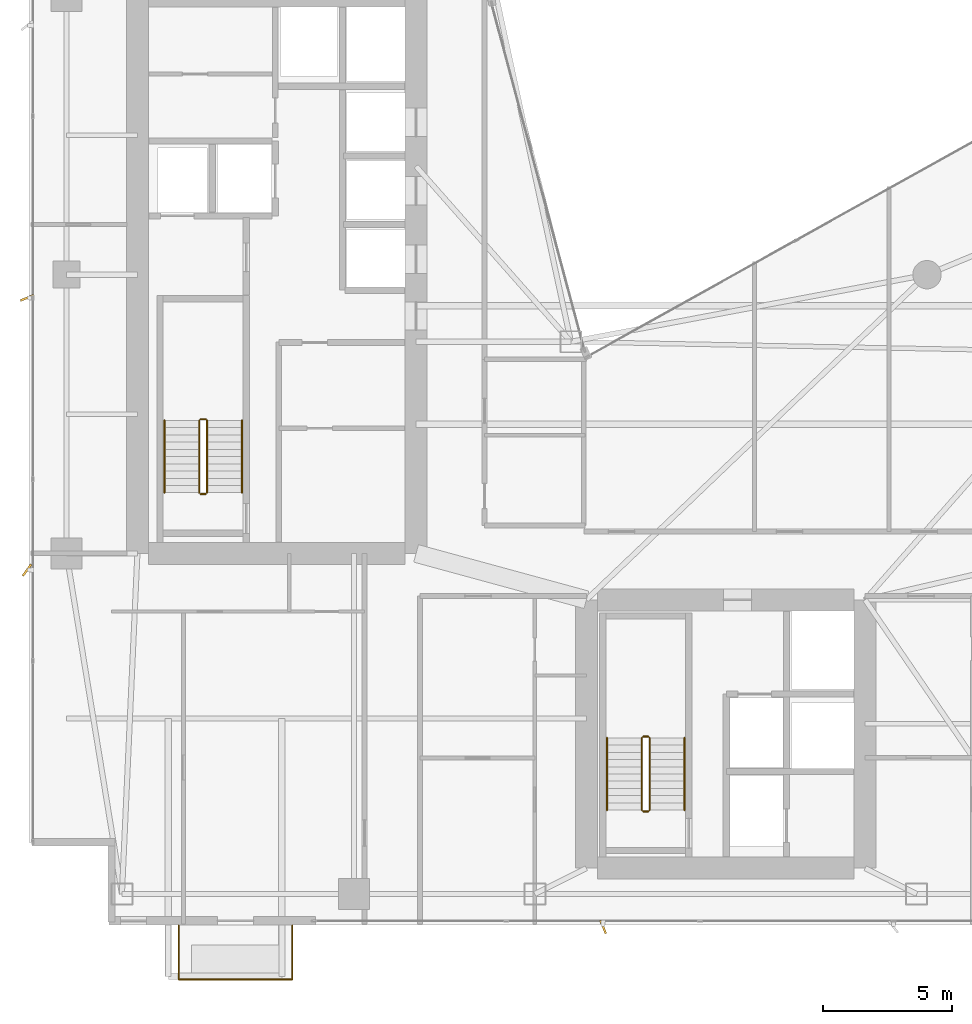
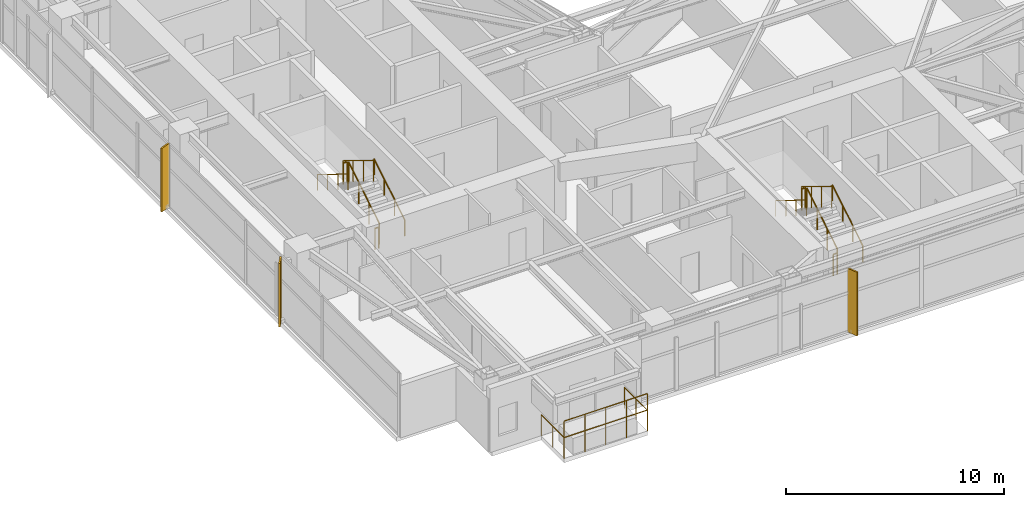
# One storey, part 27 of 28: 14 railings, 3 shading devices.
"""IFC4 building model written with IfcOpenShell, lengths in metres."""

from ifc_helpers import new_model, si_unit, direction, frame, origin, origin_2d, place, context, subcontext, project, spatial, rectangle, circle, extrude, material, type_object, element, save


model = new_model("IFC4")

# Units and contexts
model_context = context("Model", 3, precision=1e-05, world=origin(), true_north=direction((0.0, 1.0)))
body_context = subcontext(model_context, "Body", "Model", "MODEL_VIEW")
ifc_project = project(units=[si_unit("LENGTHUNIT", "METRE"), si_unit("AREAUNIT", "SQUARE_METRE"), si_unit("VOLUMEUNIT", "CUBIC_METRE"), si_unit("PLANEANGLEUNIT", "RADIAN"), si_unit("MASSUNIT", "GRAM", prefix="KILO")], contexts=[model_context])

# Site, building, storey
site_placement = place(None, origin())
site = spatial("IfcSite", under=ifc_project, at=site_placement, CompositionType="ELEMENT")
building_placement = place(site_placement, origin())
building = spatial("IfcBuilding", under=site, at=building_placement, Name="Calvorn Quay Hotel", CompositionType="ELEMENT")
storey_placement = place(building_placement, frame((0.0, 0.0, 178.89990234375)))
storey = spatial("IfcBuildingStorey", under=building, at=storey_placement, Name="L44", CompositionType="ELEMENT", Elevation=178.89990234375)

# Railings
ifc_material_1 = material(Name="Pale Anodised Aluminium and Laminated Glass", Category="aluminium")
railing_type_1 = type_object("IfcRailingType", Name="RLG-BALUSTRADE-1200", PredefinedType="BALUSTRADE", material=ifc_material_1)
railing_1_placement = place(storey_placement, frame((5.800048828125, 2.389892578125, 0.0)))
element("IfcRailing", 1, at=railing_1_placement, inside=storey, type_object=railing_type_1, Name="Tree Balcony Perimeter Balustrade L44-BALC-S", PredefinedType="BALUSTRADE", context=body_context, shape_type="SweptSolid", body=[
    extrude(circle(Radius=0.02392578125, at=origin_2d()), frame((0.0, 0.0, 1.17578125), z_axis=(0.0, -1.0, 0.0), x_axis=(1.0, 0.0, 0.0)), (0.0, 0.0, 1.0), 2.099853515625),
    extrude(circle(Radius=0.02392578125, at=origin_2d()), frame((0.0, -2.099853515625, 1.17578125), z_axis=(1.0, 0.0, 0.0), x_axis=(0.0, 1.0, 0.0)), (0.0, 0.0, 1.0), 4.39990234375),
    extrude(circle(Radius=0.02392578125, at=origin_2d()), frame((4.39990234375, -2.099853515625, 1.17578125), z_axis=(0.0, 1.0, 0.0), x_axis=(-1.0, 0.0, 0.0)), (0.0, 0.0, 1.0), 2.099853515625),
    extrude(circle(Radius=0.02099609375, at=origin_2d()), origin(), (0.0, 0.0, 1.0), 1.15185546875),
    extrude(circle(Radius=0.02099609375, at=origin_2d()), frame((0.0, -1.0498046875, 0.0)), (0.0, 0.0, 1.0), 1.15185546875),
    extrude(circle(Radius=0.02099609375, at=origin_2d()), frame((0.0, -2.099853515625, 0.0)), (0.0, 0.0, 1.0), 1.15185546875),
    extrude(circle(Radius=0.02099609375, at=origin_2d()), frame((1.10009765625, -2.099853515625, 0.0)), (0.0, 0.0, 1.0), 1.15185546875),
    extrude(circle(Radius=0.02099609375, at=origin_2d()), frame((2.199951171875, -2.099853515625, 0.0)), (0.0, 0.0, 1.0), 1.15185546875),
    extrude(circle(Radius=0.02099609375, at=origin_2d()), frame((3.2998046875, -2.099853515625, 0.0)), (0.0, 0.0, 1.0), 1.15185546875),
    extrude(circle(Radius=0.02099609375, at=origin_2d()), frame((4.39990234375, -2.099853515625, 0.0)), (0.0, 0.0, 1.0), 1.15185546875),
    extrude(circle(Radius=0.02099609375, at=origin_2d()), frame((4.39990234375, -1.0498046875, 0.0)), (0.0, 0.0, 1.0), 1.15185546875),
    extrude(circle(Radius=0.02099609375, at=origin_2d()), frame((4.39990234375, 0.0, 0.0)), (0.0, 0.0, 1.0), 1.15185546875),
])
railing_2_placement = place(storey_placement, frame((5.800048828125, 0.2900390625, 0.900146484375)))
element("IfcRailing", 2, at=railing_2_placement, inside=storey, type_object=railing_type_1, Name="Planter Kerb High Safety Screen L44-BALC-S", PredefinedType="BALUSTRADE", context=body_context, shape_type="SweptSolid", body=[
    extrude(circle(Radius=0.02392578125, at=origin_2d()), frame((0.0, 0.0, 1.19580078125), z_axis=(1.0, 0.0, 0.0), x_axis=(0.0, 1.0, 0.0)), (0.0, 0.0, 1.0), 4.39990234375),
    extrude(circle(Radius=0.02099609375, at=origin_2d()), origin(), (0.0, 0.0, 1.0), 1.171875),
    extrude(circle(Radius=0.02099609375, at=origin_2d()), frame((1.10009765625, 0.0, 0.0)), (0.0, 0.0, 1.0), 1.171875),
    extrude(circle(Radius=0.02099609375, at=origin_2d()), frame((2.199951171875, 0.0, 0.0)), (0.0, 0.0, 1.0), 1.171875),
    extrude(circle(Radius=0.02099609375, at=origin_2d()), frame((3.2998046875, 0.0, 0.0)), (0.0, 0.0, 1.0), 1.171875),
    extrude(circle(Radius=0.02099609375, at=origin_2d()), frame((4.39990234375, 0.0, 0.0)), (0.0, 0.0, 1.0), 1.171875),
])
ifc_material_2 = material(Name="Brushed Stainless Steel Handrail", Category="steel")
railing_type_2 = type_object("IfcRailingType", Name="RLG-HANDRAIL-900", PredefinedType="HANDRAIL", material=ifc_material_2)
railing_3_placement = place(storey_placement, frame((8.25, 19.14990234375, 0.1728515625)))
element("IfcRailing", 3, at=railing_3_placement, inside=storey, type_object=railing_type_2, Name="L44 ST-W stair handrail 1", PredefinedType="HANDRAIL", context=body_context, shape_type="SweptSolid", body=[
    extrude(circle(Radius=0.02392578125, at=origin_2d()), frame((0.0, 0.0, 0.8759765625), z_axis=(0.0, 0.851089632645, 0.525020415988), x_axis=(-1.0, 0.0, 0.0)), (0.0, 0.0, 1.0), 3.2900390625),
    extrude(circle(Radius=0.02099609375, at=origin_2d()), origin(), (0.0, 0.0, 1.0), 0.851806640625),
    extrude(circle(Radius=0.02099609375, at=origin_2d()), frame((0.0, 0.933349609375, 0.57568359375)), (0.0, 0.0, 1.0), 0.851806640625),
    extrude(circle(Radius=0.02099609375, at=origin_2d()), frame((0.0, 1.86669921875, 1.151611328125)), (0.0, 0.0, 1.0), 0.851806640625),
    extrude(circle(Radius=0.02099609375, at=origin_2d()), frame((0.0, 2.800048828125, 1.727294921875)), (0.0, 0.0, 1.0), 0.851806640625),
])
railing_4_placement = place(storey_placement, frame((5.25, 21.949951171875, 2.07275390625)))
element("IfcRailing", 4, at=railing_4_placement, inside=storey, type_object=railing_type_2, Name="L44 ST-W stair handrail 2", PredefinedType="HANDRAIL", context=body_context, shape_type="SweptSolid", body=[
    extrude(circle(Radius=0.02392578125, at=origin_2d()), frame((0.0, 0.0, 0.8759765625), z_axis=(0.0, -0.851089632645, 0.525020415988), x_axis=(1.0, 0.0, 0.0)), (0.0, 0.0, 1.0), 3.2900390625),
    extrude(circle(Radius=0.02099609375, at=origin_2d()), origin(), (0.0, 0.0, 1.0), 0.851806640625),
    extrude(circle(Radius=0.02099609375, at=origin_2d()), frame((0.0, -0.933349609375, 0.57568359375)), (0.0, 0.0, 1.0), 0.851806640625),
    extrude(circle(Radius=0.02099609375, at=origin_2d()), frame((0.0, -1.86669921875, 1.151611328125)), (0.0, 0.0, 1.0), 0.851806640625),
    extrude(circle(Radius=0.02099609375, at=origin_2d()), frame((0.0, -2.800048828125, 1.727294921875)), (0.0, 0.0, 1.0), 0.851806640625),
])
railing_5_placement = place(storey_placement, frame((25.39990234375, 6.85009765625, 0.1728515625)))
element("IfcRailing", 5, at=railing_5_placement, inside=storey, type_object=railing_type_2, Name="L44 ST-E stair handrail 1", PredefinedType="HANDRAIL", context=body_context, shape_type="SweptSolid", body=[
    extrude(circle(Radius=0.02392578125, at=origin_2d()), frame((0.0, 0.0, 0.8759765625), z_axis=(0.0, 0.851069175582, 0.525053576669), x_axis=(-1.0, 0.0, 0.0)), (0.0, 0.0, 1.0), 3.289794921875),
    extrude(circle(Radius=0.02099609375, at=origin_2d()), origin(), (0.0, 0.0, 1.0), 0.851806640625),
    extrude(circle(Radius=0.02099609375, at=origin_2d()), frame((0.0, 0.933349609375, 0.57568359375)), (0.0, 0.0, 1.0), 0.851806640625),
    extrude(circle(Radius=0.02099609375, at=origin_2d()), frame((0.0, 1.866455078125, 1.151611328125)), (0.0, 0.0, 1.0), 0.851806640625),
    extrude(circle(Radius=0.02099609375, at=origin_2d()), frame((0.0, 2.7998046875, 1.727294921875)), (0.0, 0.0, 1.0), 0.851806640625),
])
railing_6_placement = place(storey_placement, frame((22.39990234375, 9.64990234375, 2.07275390625)))
element("IfcRailing", 6, at=railing_6_placement, inside=storey, type_object=railing_type_2, Name="L44 ST-E stair handrail 2", PredefinedType="HANDRAIL", context=body_context, shape_type="SweptSolid", body=[
    extrude(circle(Radius=0.02392578125, at=origin_2d()), frame((0.0, 0.0, 0.8759765625), z_axis=(0.0, -0.851069175582, 0.525053576669), x_axis=(1.0, 0.0, 0.0)), (0.0, 0.0, 1.0), 3.289794921875),
    extrude(circle(Radius=0.02099609375, at=origin_2d()), origin(), (0.0, 0.0, 1.0), 0.851806640625),
    extrude(circle(Radius=0.02099609375, at=origin_2d()), frame((0.0, -0.933349609375, 0.57568359375)), (0.0, 0.0, 1.0), 0.851806640625),
    extrude(circle(Radius=0.02099609375, at=origin_2d()), frame((0.0, -1.866455078125, 1.151611328125)), (0.0, 0.0, 1.0), 0.851806640625),
    extrude(circle(Radius=0.02099609375, at=origin_2d()), frame((0.0, -2.7998046875, 1.727294921875)), (0.0, 0.0, 1.0), 0.851806640625),
])
ifc_material_3 = material(Name="Painted Galvanised Steel Balustrade", Category="steel")
railing_type_3 = type_object("IfcRailingType", Name="RLG-STAIR-GUARD-1120", PredefinedType="GUARDRAIL", material=ifc_material_3)
railing_7_placement = place(storey_placement, frame((6.89990234375, 19.14990234375, 0.1728515625)))
element("IfcRailing", 7, at=railing_7_placement, inside=storey, type_object=railing_type_3, Name="L44 ST-W stair guard 1", PredefinedType="GUARDRAIL", context=body_context, shape_type="SweptSolid", body=[
    extrude(circle(Radius=0.02392578125, at=origin_2d()), frame((0.0, 0.0, 1.17578125), z_axis=(0.0, 0.851089632645, 0.525020415988), x_axis=(-1.0, 0.0, 0.0)), (0.0, 0.0, 1.0), 3.2900390625),
    extrude(circle(Radius=0.02099609375, at=origin_2d()), origin(), (0.0, 0.0, 1.0), 1.15185546875),
    extrude(circle(Radius=0.02099609375, at=origin_2d()), frame((0.0, 0.933349609375, 0.57568359375)), (0.0, 0.0, 1.0), 1.15185546875),
    extrude(circle(Radius=0.02099609375, at=origin_2d()), frame((0.0, 1.86669921875, 1.151611328125)), (0.0, 0.0, 1.0), 1.15185546875),
    extrude(circle(Radius=0.02099609375, at=origin_2d()), frame((0.0, 2.800048828125, 1.727294921875)), (0.0, 0.0, 1.0), 1.15185546875),
])
railing_8_placement = place(storey_placement, frame((6.85009765625, 22.0, 1.900146484375)))
element("IfcRailing", 8, at=railing_8_placement, inside=storey, type_object=railing_type_3, Name="L44 ST-W stair guard 2", PredefinedType="GUARDRAIL", context=body_context, shape_type="SweptSolid", body=[
    extrude(circle(Radius=0.02392578125, at=origin_2d()), frame((0.0, 0.0, 1.17578125), z_axis=(-1.0, 0.0, 0.0), x_axis=(0.0, -1.0, 0.0)), (0.0, 0.0, 1.0), 0.2001953125),
    extrude(circle(Radius=0.02099609375, at=origin_2d()), origin(), (0.0, 0.0, 1.0), 1.15185546875),
    extrude(circle(Radius=0.02099609375, at=origin_2d()), frame((-0.2001953125, 0.0, 0.0)), (0.0, 0.0, 1.0), 1.15185546875),
])
railing_9_placement = place(storey_placement, frame((6.60009765625, 21.949951171875, 2.07275390625)))
element("IfcRailing", 9, at=railing_9_placement, inside=storey, type_object=railing_type_3, Name="L44 ST-W stair guard 3", PredefinedType="GUARDRAIL", context=body_context, shape_type="SweptSolid", body=[
    extrude(circle(Radius=0.02392578125, at=origin_2d()), frame((0.0, 0.0, 1.17578125), z_axis=(0.0, -0.851089632645, 0.525020415988), x_axis=(1.0, 0.0, 0.0)), (0.0, 0.0, 1.0), 3.2900390625),
    extrude(circle(Radius=0.02099609375, at=origin_2d()), origin(), (0.0, 0.0, 1.0), 1.15185546875),
    extrude(circle(Radius=0.02099609375, at=origin_2d()), frame((0.0, -0.933349609375, 0.57568359375)), (0.0, 0.0, 1.0), 1.15185546875),
    extrude(circle(Radius=0.02099609375, at=origin_2d()), frame((0.0, -1.86669921875, 1.151611328125)), (0.0, 0.0, 1.0), 1.15185546875),
    extrude(circle(Radius=0.02099609375, at=origin_2d()), frame((0.0, -2.800048828125, 1.727294921875)), (0.0, 0.0, 1.0), 1.15185546875),
])
railing_10_placement = place(storey_placement, frame((6.85009765625, 19.10009765625, 0.0)))
element("IfcRailing", 10, at=railing_10_placement, inside=storey, type_object=railing_type_3, Name="L44 ST-W stair guard 4", PredefinedType="GUARDRAIL", context=body_context, shape_type="SweptSolid", body=[
    extrude(circle(Radius=0.02392578125, at=origin_2d()), frame((0.0, 0.0, 1.17578125), z_axis=(-1.0, 0.0, 0.0), x_axis=(0.0, -1.0, 0.0)), (0.0, 0.0, 1.0), 0.2001953125),
    extrude(circle(Radius=0.02099609375, at=origin_2d()), origin(), (0.0, 0.0, 1.0), 1.15185546875),
    extrude(circle(Radius=0.02099609375, at=origin_2d()), frame((-0.2001953125, 0.0, 0.0)), (0.0, 0.0, 1.0), 1.15185546875),
])
railing_11_placement = place(storey_placement, frame((24.050048828125, 6.85009765625, 0.1728515625)))
element("IfcRailing", 11, at=railing_11_placement, inside=storey, type_object=railing_type_3, Name="L44 ST-E stair guard 1", PredefinedType="GUARDRAIL", context=body_context, shape_type="SweptSolid", body=[
    extrude(circle(Radius=0.02392578125, at=origin_2d()), frame((0.0, 0.0, 1.17578125), z_axis=(0.0, 0.851069175582, 0.525053576669), x_axis=(-1.0, 0.0, 0.0)), (0.0, 0.0, 1.0), 3.289794921875),
    extrude(circle(Radius=0.02099609375, at=origin_2d()), origin(), (0.0, 0.0, 1.0), 1.15185546875),
    extrude(circle(Radius=0.02099609375, at=origin_2d()), frame((0.0, 0.933349609375, 0.57568359375)), (0.0, 0.0, 1.0), 1.15185546875),
    extrude(circle(Radius=0.02099609375, at=origin_2d()), frame((0.0, 1.866455078125, 1.151611328125)), (0.0, 0.0, 1.0), 1.15185546875),
    extrude(circle(Radius=0.02099609375, at=origin_2d()), frame((0.0, 2.7998046875, 1.727294921875)), (0.0, 0.0, 1.0), 1.15185546875),
])
railing_12_placement = place(storey_placement, frame((24.0, 9.699951171875, 1.900146484375)))
element("IfcRailing", 12, at=railing_12_placement, inside=storey, type_object=railing_type_3, Name="L44 ST-E stair guard 2", PredefinedType="GUARDRAIL", context=body_context, shape_type="SweptSolid", body=[
    extrude(circle(Radius=0.02392578125, at=origin_2d()), frame((0.0, 0.0, 1.17578125), z_axis=(-1.0, 0.0, 0.0), x_axis=(0.0, -1.0, 0.0)), (0.0, 0.0, 1.0), 0.199951171875),
    extrude(circle(Radius=0.02099609375, at=origin_2d()), origin(), (0.0, 0.0, 1.0), 1.15185546875),
    extrude(circle(Radius=0.02099609375, at=origin_2d()), frame((-0.199951171875, 0.0, 0.0)), (0.0, 0.0, 1.0), 1.15185546875),
])
railing_13_placement = place(storey_placement, frame((23.75, 9.64990234375, 2.07275390625)))
element("IfcRailing", 13, at=railing_13_placement, inside=storey, type_object=railing_type_3, Name="L44 ST-E stair guard 3", PredefinedType="GUARDRAIL", context=body_context, shape_type="SweptSolid", body=[
    extrude(circle(Radius=0.02392578125, at=origin_2d()), frame((0.0, 0.0, 1.17578125), z_axis=(0.0, -0.851069175582, 0.525053576669), x_axis=(1.0, 0.0, 0.0)), (0.0, 0.0, 1.0), 3.289794921875),
    extrude(circle(Radius=0.02099609375, at=origin_2d()), origin(), (0.0, 0.0, 1.0), 1.15185546875),
    extrude(circle(Radius=0.02099609375, at=origin_2d()), frame((0.0, -0.933349609375, 0.57568359375)), (0.0, 0.0, 1.0), 1.15185546875),
    extrude(circle(Radius=0.02099609375, at=origin_2d()), frame((0.0, -1.866455078125, 1.151611328125)), (0.0, 0.0, 1.0), 1.15185546875),
    extrude(circle(Radius=0.02099609375, at=origin_2d()), frame((0.0, -2.7998046875, 1.727294921875)), (0.0, 0.0, 1.0), 1.15185546875),
])
railing_14_placement = place(storey_placement, frame((24.0, 6.800048828125, 0.0)))
element("IfcRailing", 14, at=railing_14_placement, inside=storey, type_object=railing_type_3, Name="L44 ST-E stair guard 4", PredefinedType="GUARDRAIL", context=body_context, shape_type="SweptSolid", body=[
    extrude(circle(Radius=0.02392578125, at=origin_2d()), frame((0.0, 0.0, 1.17578125), z_axis=(-1.0, 0.0, 0.0), x_axis=(0.0, -1.0, 0.0)), (0.0, 0.0, 1.0), 0.199951171875),
    extrude(circle(Radius=0.02099609375, at=origin_2d()), origin(), (0.0, 0.0, 1.0), 1.15185546875),
    extrude(circle(Radius=0.02099609375, at=origin_2d()), frame((-0.199951171875, 0.0, 0.0)), (0.0, 0.0, 1.0), 1.15185546875),
])

# Shading devices
ifc_material_4 = material(Name="Champagne Bronze Anodised Aluminium 6063-T6", Category="aluminium")
shading_device_type_1 = type_object("IfcShadingDeviceType", Name="SHD-FIN-A1", PredefinedType="USERDEFINED", material=ifc_material_4)
for number, where, z_axis, x_axis, name in (
    (15, (-0.080078125, 26.699951171875, 0.0), (0.0, 0.0, 1.0), (0.927183854567, 0.374606593416, 0.0), "Diagonal Sun-Shading Fin L44-W02"),
    (16, (22.25, 2.320068359375, 0.0), (0.0, 0.0, 1.0), (-0.374606593416, 0.927183854567, 0.0), "Diagonal Sun-Shading Fin L44-S01"),
):
    element("IfcShadingDevice", number, at=place(storey_placement, frame(where, z_axis=z_axis, x_axis=x_axis)), inside=storey, type_object=shading_device_type_1, Name=name, ObjectType="FIN", PredefinedType="USERDEFINED", context=body_context, shape_type="SweptSolid", body=[
        extrude(rectangle(XDim=0.550048828125, YDim=0.080078125, at=origin_2d()), origin(), (0.0, 0.0, 1.0), 3.56005859375),
    ])
ifc_material_5 = material(Name="Champagne Bronze Anodised Aluminium 6063-T6", Category="aluminium")
shading_device_type_2 = type_object("IfcShadingDeviceType", Name="SHD-FIN-A3", PredefinedType="USERDEFINED", material=ifc_material_5)
shading_device_placement = place(storey_placement, frame((-0.080078125, 16.14990234375, 0.0), z_axis=(0.0, 0.0, 1.0), x_axis=(0.587785252292, 0.809016994375, 0.0)))
element("IfcShadingDevice", 17, at=shading_device_placement, inside=storey, type_object=shading_device_type_2, Name="Diagonal Sun-Shading Fin L44-W01", ObjectType="FIN", PredefinedType="USERDEFINED", context=body_context, shape_type="SweptSolid", body=[
    extrude(rectangle(XDim=0.550048828125, YDim=0.080078125, at=origin_2d()), origin(), (0.0, 0.0, 1.0), 3.56005859375),
])

save(model, "model.ifc")
